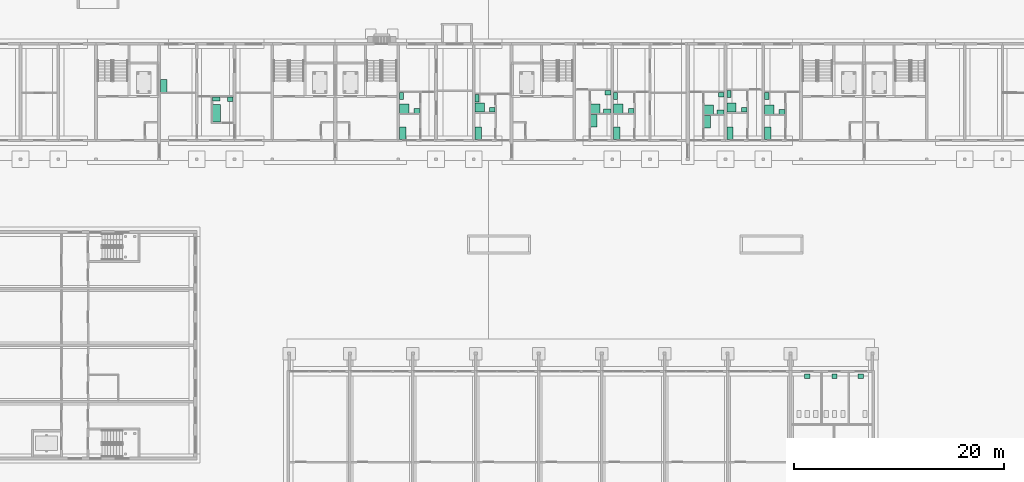
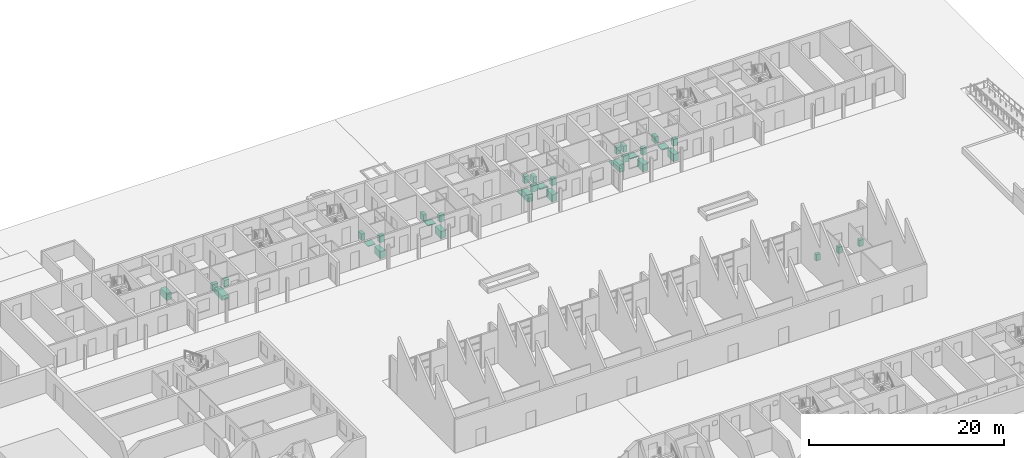
# One storey, part 109 of 112: 35 sanitary terminals.
"""IFC4 building model written with IfcOpenShell, lengths in metres."""

from ifc_helpers import new_model, si_unit, direction, frame, origin, origin_2d, place, context, subcontext, project, spatial, rectangle, extrude, element, save


model = new_model("IFC4")

# Units and contexts
model_context = context("Model", 3, precision=1e-05, world=origin(), true_north=direction((0.0, 1.0)))
body_context = subcontext(model_context, "Body", "Model", "MODEL_VIEW")
ifc_project = project(units=[si_unit("LENGTHUNIT", "METRE"), si_unit("AREAUNIT", "SQUARE_METRE"), si_unit("VOLUMEUNIT", "CUBIC_METRE"), si_unit("PLANEANGLEUNIT", "RADIAN"), si_unit("MASSUNIT", "GRAM", prefix="KILO")], contexts=[model_context])

# Site, building, storey
site_placement = place(None, origin())
site = spatial("IfcSite", under=ifc_project, at=site_placement, CompositionType="ELEMENT")
building_placement = place(site_placement, origin())
building = spatial("IfcBuilding", under=site, at=building_placement, Name="Ridgestep Commons", CompositionType="ELEMENT")
storey_placement = place(building_placement, origin())
storey = spatial("IfcBuildingStorey", under=building, at=storey_placement, Name="L00", CompositionType="ELEMENT", Elevation=0.0)

# Sanitary terminals
sanitary_terminal_1_placement = place(storey_placement, frame((169.0849609375, 70.510009765625, 0.0), z_axis=(0.0, 0.0, 1.0), x_axis=(1.0, 0.0, 0.0)))
element("IfcSanitaryTerminal", 1, at=sanitary_terminal_1_placement, inside=storey, Name="Bath C2-00a", PredefinedType="BATH", context=body_context, shape_type="SweptSolid", body=[
    extrude(rectangle(XDim=0.75, YDim=1.699951171875, at=origin_2d()), origin(), (0.0, 0.0, 1.0), 0.550048828125),
])
sanitary_terminal_2_placement = place(storey_placement, frame((169.06005859375, 71.860107421875, 0.0), z_axis=(0.0, 0.0, 1.0), x_axis=(1.0, 0.0, 0.0)))
element("IfcSanitaryTerminal", 2, at=sanitary_terminal_2_placement, inside=storey, Name="WC C2-00a", PredefinedType="TOILETPAN", context=body_context, shape_type="SweptSolid", body=[
    extrude(rectangle(XDim=0.699951171875, YDim=0.39990234375, at=origin_2d()), origin(), (0.0, 0.0, 1.0), 0.800048828125),
])
sanitary_terminal_3_placement = place(storey_placement, frame((170.39990234375, 71.8349609375, 0.0), z_axis=(0.0, 0.0, 1.0), x_axis=(1.0, 0.0, 0.0)))
element("IfcSanitaryTerminal", 3, at=sanitary_terminal_3_placement, inside=storey, Name="Basin C2-00a", PredefinedType="WASHHANDBASIN", context=body_context, shape_type="SweptSolid", body=[
    extrude(rectangle(XDim=0.550048828125, YDim=0.449951171875, at=origin_2d()), origin(), (0.0, 0.0, 1.0), 0.85009765625),
])
sanitary_terminal_4_placement = place(storey_placement, frame((164.050048828125, 73.110107421875, 0.0), z_axis=(0.0, 0.0, 1.0), x_axis=(1.0, 0.0, 0.0)))
element("IfcSanitaryTerminal", 4, at=sanitary_terminal_4_placement, inside=storey, Name="Kitchen sink C2-00a", PredefinedType="SINK", context=body_context, shape_type="SweptSolid", body=[
    extrude(rectangle(XDim=0.60009765625, YDim=1.199951171875, at=origin_2d()), origin(), (0.0, 0.0, 1.0), 0.89990234375),
])
sanitary_terminal_5_placement = place(storey_placement, frame((194.175048828125, 71.06005859375, 0.0), z_axis=(0.0, 0.0, 1.0), x_axis=(1.0, 0.0, 0.0)))
element("IfcSanitaryTerminal", 5, at=sanitary_terminal_5_placement, inside=storey, Name="Shower tray C3-00a", PredefinedType="SHOWER", context=body_context, shape_type="SweptSolid", body=[
    extrude(rectangle(XDim=0.89990234375, YDim=0.89990234375, at=origin_2d()), origin(), (0.0, 0.0, 1.0), 0.10009765625),
])
sanitary_terminal_6_placement = place(storey_placement, frame((193.925048828125, 71.949951171875, 0.0), z_axis=(0.0, 0.0, 1.0), x_axis=(1.0, 0.0, 0.0)))
element("IfcSanitaryTerminal", 6, at=sanitary_terminal_6_placement, inside=storey, Name="WC C3-00a", PredefinedType="TOILETPAN", context=body_context, shape_type="SweptSolid", body=[
    extrude(rectangle(XDim=0.39990234375, YDim=0.699951171875, at=origin_2d()), origin(), (0.0, 0.0, 1.0), 0.800048828125),
])
sanitary_terminal_7_placement = place(storey_placement, frame((195.364990234375, 70.8349609375, 0.0), z_axis=(0.0, 0.0, 1.0), x_axis=(1.0, 0.0, 0.0)))
element("IfcSanitaryTerminal", 7, at=sanitary_terminal_7_placement, inside=storey, Name="Basin C3-00a", PredefinedType="WASHHANDBASIN", context=body_context, shape_type="SweptSolid", body=[
    extrude(rectangle(XDim=0.550048828125, YDim=0.449951171875, at=origin_2d()), origin(), (0.0, 0.0, 1.0), 0.85009765625),
])
sanitary_terminal_8_placement = place(storey_placement, frame((194.02490234375, 68.60009765625, 0.0), z_axis=(0.0, 0.0, 1.0), x_axis=(1.0, 0.0, 0.0)))
element("IfcSanitaryTerminal", 8, at=sanitary_terminal_8_placement, inside=storey, Name="Kitchen sink C3-00a", PredefinedType="SINK", context=body_context, shape_type="SweptSolid", body=[
    extrude(rectangle(XDim=0.60009765625, YDim=1.199951171875, at=origin_2d()), origin(), (0.0, 0.0, 1.0), 0.89990234375),
])
sanitary_terminal_9_placement = place(storey_placement, frame((186.97509765625, 70.9599609375, 0.0), z_axis=(0.0, 0.0, 1.0), x_axis=(1.0, 0.0, 0.0)))
element("IfcSanitaryTerminal", 9, at=sanitary_terminal_9_placement, inside=storey, Name="Shower tray C3-00b", PredefinedType="SHOWER", context=body_context, shape_type="SweptSolid", body=[
    extrude(rectangle(XDim=0.89990234375, YDim=0.89990234375, at=origin_2d()), origin(), (0.0, 0.0, 1.0), 0.10009765625),
])
sanitary_terminal_10_placement = place(storey_placement, frame((186.72509765625, 72.14990234375, 0.0), z_axis=(0.0, 0.0, 1.0), x_axis=(1.0, 0.0, 0.0)))
element("IfcSanitaryTerminal", 10, at=sanitary_terminal_10_placement, inside=storey, Name="WC C3-00b", PredefinedType="TOILETPAN", context=body_context, shape_type="SweptSolid", body=[
    extrude(rectangle(XDim=0.39990234375, YDim=0.699951171875, at=origin_2d()), origin(), (0.0, 0.0, 1.0), 0.800048828125),
])
sanitary_terminal_11_placement = place(storey_placement, frame((188.18994140625, 70.735107421875, 0.0), z_axis=(0.0, 0.0, 1.0), x_axis=(1.0, 0.0, 0.0)))
element("IfcSanitaryTerminal", 11, at=sanitary_terminal_11_placement, inside=storey, Name="Basin C3-00b", PredefinedType="WASHHANDBASIN", context=body_context, shape_type="SweptSolid", body=[
    extrude(rectangle(XDim=0.550048828125, YDim=0.449951171875, at=origin_2d()), origin(), (0.0, 0.0, 1.0), 0.85009765625),
])
sanitary_terminal_12_placement = place(storey_placement, frame((186.824951171875, 68.60009765625, 0.0), z_axis=(0.0, 0.0, 1.0), x_axis=(1.0, 0.0, 0.0)))
element("IfcSanitaryTerminal", 12, at=sanitary_terminal_12_placement, inside=storey, Name="Kitchen sink C3-00b", PredefinedType="SINK", context=body_context, shape_type="SweptSolid", body=[
    extrude(rectangle(XDim=0.60009765625, YDim=1.199951171875, at=origin_2d()), origin(), (0.0, 0.0, 1.0), 0.89990234375),
])
sanitary_terminal_13_placement = place(storey_placement, frame((207.375, 70.9599609375, 0.0), z_axis=(0.0, 0.0, 1.0), x_axis=(1.0, 0.0, 0.0)))
element("IfcSanitaryTerminal", 13, at=sanitary_terminal_13_placement, inside=storey, Name="Shower tray C4-00a", PredefinedType="SHOWER", context=body_context, shape_type="SweptSolid", body=[
    extrude(rectangle(XDim=0.89990234375, YDim=0.89990234375, at=origin_2d()), origin(), (0.0, 0.0, 1.0), 0.10009765625),
])
sanitary_terminal_14_placement = place(storey_placement, frame((207.125, 72.14990234375, 0.0), z_axis=(0.0, 0.0, 1.0), x_axis=(1.0, 0.0, 0.0)))
element("IfcSanitaryTerminal", 14, at=sanitary_terminal_14_placement, inside=storey, Name="WC C4-00a", PredefinedType="TOILETPAN", context=body_context, shape_type="SweptSolid", body=[
    extrude(rectangle(XDim=0.39990234375, YDim=0.699951171875, at=origin_2d()), origin(), (0.0, 0.0, 1.0), 0.800048828125),
])
sanitary_terminal_15_placement = place(storey_placement, frame((208.614990234375, 70.735107421875, 0.0), z_axis=(0.0, 0.0, 1.0), x_axis=(1.0, 0.0, 0.0)))
element("IfcSanitaryTerminal", 15, at=sanitary_terminal_15_placement, inside=storey, Name="Basin C4-00a", PredefinedType="WASHHANDBASIN", context=body_context, shape_type="SweptSolid", body=[
    extrude(rectangle(XDim=0.550048828125, YDim=0.449951171875, at=origin_2d()), origin(), (0.0, 0.0, 1.0), 0.85009765625),
])
sanitary_terminal_16_placement = place(storey_placement, frame((207.22509765625, 68.60009765625, 0.0), z_axis=(0.0, 0.0, 1.0), x_axis=(1.0, 0.0, 0.0)))
element("IfcSanitaryTerminal", 16, at=sanitary_terminal_16_placement, inside=storey, Name="Kitchen sink C4-00a", PredefinedType="SINK", context=body_context, shape_type="SweptSolid", body=[
    extrude(rectangle(XDim=0.60009765625, YDim=1.199951171875, at=origin_2d()), origin(), (0.0, 0.0, 1.0), 0.89990234375),
])
sanitary_terminal_17_placement = place(storey_placement, frame((205.18505859375, 70.9599609375, 0.0), z_axis=(0.0, 0.0, 1.0), x_axis=(1.0, 0.0, 0.0)))
element("IfcSanitaryTerminal", 17, at=sanitary_terminal_17_placement, inside=storey, Name="Shower tray C4-00b", PredefinedType="SHOWER", context=body_context, shape_type="SweptSolid", body=[
    extrude(rectangle(XDim=0.89990234375, YDim=0.89990234375, at=origin_2d()), origin(), (0.0, 0.0, 1.0), 0.10009765625),
])
sanitary_terminal_18_placement = place(storey_placement, frame((206.324951171875, 70.7099609375, 0.0), z_axis=(0.0, 0.0, 1.0), x_axis=(1.0, 0.0, 0.0)))
element("IfcSanitaryTerminal", 18, at=sanitary_terminal_18_placement, inside=storey, Name="WC C4-00b", PredefinedType="TOILETPAN", context=body_context, shape_type="SweptSolid", body=[
    extrude(rectangle(XDim=0.699951171875, YDim=0.39990234375, at=origin_2d()), origin(), (0.0, 0.0, 1.0), 0.800048828125),
])
sanitary_terminal_19_placement = place(storey_placement, frame((206.39990234375, 72.47509765625, 0.0), z_axis=(0.0, 0.0, 1.0), x_axis=(1.0, 0.0, 0.0)))
element("IfcSanitaryTerminal", 19, at=sanitary_terminal_19_placement, inside=storey, Name="Basin C4-00b", PredefinedType="WASHHANDBASIN", context=body_context, shape_type="SweptSolid", body=[
    extrude(rectangle(XDim=0.550048828125, YDim=0.449951171875, at=origin_2d()), origin(), (0.0, 0.0, 1.0), 0.85009765625),
])
sanitary_terminal_20_placement = place(storey_placement, frame((205.034912109375, 69.800048828125, 0.0), z_axis=(0.0, 0.0, 1.0), x_axis=(1.0, 0.0, 0.0)))
element("IfcSanitaryTerminal", 20, at=sanitary_terminal_20_placement, inside=storey, Name="Kitchen sink C4-00b", PredefinedType="SINK", context=body_context, shape_type="SweptSolid", body=[
    extrude(rectangle(XDim=0.60009765625, YDim=1.199951171875, at=origin_2d()), origin(), (0.0, 0.0, 1.0), 0.89990234375),
])
sanitary_terminal_21_placement = place(storey_placement, frame((216.010009765625, 70.860107421875, 0.0), z_axis=(0.0, 0.0, 1.0), x_axis=(1.0, 0.0, 0.0)))
element("IfcSanitaryTerminal", 21, at=sanitary_terminal_21_placement, inside=storey, Name="Shower tray C5-00a", PredefinedType="SHOWER", context=body_context, shape_type="SweptSolid", body=[
    extrude(rectangle(XDim=0.89990234375, YDim=0.89990234375, at=origin_2d()), origin(), (0.0, 0.0, 1.0), 0.10009765625),
])
sanitary_terminal_22_placement = place(storey_placement, frame((217.125, 70.610107421875, 0.0), z_axis=(0.0, 0.0, 1.0), x_axis=(1.0, 0.0, 0.0)))
element("IfcSanitaryTerminal", 22, at=sanitary_terminal_22_placement, inside=storey, Name="WC C5-00a", PredefinedType="TOILETPAN", context=body_context, shape_type="SweptSolid", body=[
    extrude(rectangle(XDim=0.699951171875, YDim=0.39990234375, at=origin_2d()), origin(), (0.0, 0.0, 1.0), 0.800048828125),
])
sanitary_terminal_23_placement = place(storey_placement, frame((217.199951171875, 72.27490234375, 0.0), z_axis=(0.0, 0.0, 1.0), x_axis=(1.0, 0.0, 0.0)))
element("IfcSanitaryTerminal", 23, at=sanitary_terminal_23_placement, inside=storey, Name="Basin C5-00a", PredefinedType="WASHHANDBASIN", context=body_context, shape_type="SweptSolid", body=[
    extrude(rectangle(XDim=0.550048828125, YDim=0.449951171875, at=origin_2d()), origin(), (0.0, 0.0, 1.0), 0.85009765625),
])
sanitary_terminal_24_placement = place(storey_placement, frame((215.860107421875, 69.699951171875, 0.0), z_axis=(0.0, 0.0, 1.0), x_axis=(1.0, 0.0, 0.0)))
element("IfcSanitaryTerminal", 24, at=sanitary_terminal_24_placement, inside=storey, Name="Kitchen sink C5-00a", PredefinedType="SINK", context=body_context, shape_type="SweptSolid", body=[
    extrude(rectangle(XDim=0.60009765625, YDim=1.199951171875, at=origin_2d()), origin(), (0.0, 0.0, 1.0), 0.89990234375),
])
sanitary_terminal_25_placement = place(storey_placement, frame((218.175048828125, 71.06005859375, 0.0), z_axis=(0.0, 0.0, 1.0), x_axis=(1.0, 0.0, 0.0)))
element("IfcSanitaryTerminal", 25, at=sanitary_terminal_25_placement, inside=storey, Name="Shower tray C5-00b", PredefinedType="SHOWER", context=body_context, shape_type="SweptSolid", body=[
    extrude(rectangle(XDim=0.89990234375, YDim=0.89990234375, at=origin_2d()), origin(), (0.0, 0.0, 1.0), 0.10009765625),
])
sanitary_terminal_26_placement = place(storey_placement, frame((217.925048828125, 72.35009765625, 0.0), z_axis=(0.0, 0.0, 1.0), x_axis=(1.0, 0.0, 0.0)))
element("IfcSanitaryTerminal", 26, at=sanitary_terminal_26_placement, inside=storey, Name="WC C5-00b", PredefinedType="TOILETPAN", context=body_context, shape_type="SweptSolid", body=[
    extrude(rectangle(XDim=0.39990234375, YDim=0.699951171875, at=origin_2d()), origin(), (0.0, 0.0, 1.0), 0.800048828125),
])
sanitary_terminal_27_placement = place(storey_placement, frame((219.389892578125, 70.8349609375, 0.0), z_axis=(0.0, 0.0, 1.0), x_axis=(1.0, 0.0, 0.0)))
element("IfcSanitaryTerminal", 27, at=sanitary_terminal_27_placement, inside=storey, Name="Basin C5-00b", PredefinedType="WASHHANDBASIN", context=body_context, shape_type="SweptSolid", body=[
    extrude(rectangle(XDim=0.550048828125, YDim=0.449951171875, at=origin_2d()), origin(), (0.0, 0.0, 1.0), 0.85009765625),
])
sanitary_terminal_28_placement = place(storey_placement, frame((218.02490234375, 68.60009765625, 0.0), z_axis=(0.0, 0.0, 1.0), x_axis=(1.0, 0.0, 0.0)))
element("IfcSanitaryTerminal", 28, at=sanitary_terminal_28_placement, inside=storey, Name="Kitchen sink C5-00b", PredefinedType="SINK", context=body_context, shape_type="SweptSolid", body=[
    extrude(rectangle(XDim=0.60009765625, YDim=1.199951171875, at=origin_2d()), origin(), (0.0, 0.0, 1.0), 0.89990234375),
])
sanitary_terminal_29_placement = place(storey_placement, frame((221.77490234375, 70.860107421875, 0.0), z_axis=(0.0, 0.0, 1.0), x_axis=(1.0, 0.0, 0.0)))
element("IfcSanitaryTerminal", 29, at=sanitary_terminal_29_placement, inside=storey, Name="Shower tray C5-00c", PredefinedType="SHOWER", context=body_context, shape_type="SweptSolid", body=[
    extrude(rectangle(XDim=0.89990234375, YDim=0.89990234375, at=origin_2d()), origin(), (0.0, 0.0, 1.0), 0.10009765625),
])
sanitary_terminal_30_placement = place(storey_placement, frame((221.52490234375, 72.14990234375, 0.0), z_axis=(0.0, 0.0, 1.0), x_axis=(1.0, 0.0, 0.0)))
element("IfcSanitaryTerminal", 30, at=sanitary_terminal_30_placement, inside=storey, Name="WC C5-00c", PredefinedType="TOILETPAN", context=body_context, shape_type="SweptSolid", body=[
    extrude(rectangle(XDim=0.39990234375, YDim=0.699951171875, at=origin_2d()), origin(), (0.0, 0.0, 1.0), 0.800048828125),
])
sanitary_terminal_31_placement = place(storey_placement, frame((222.989990234375, 70.635009765625, 0.0), z_axis=(0.0, 0.0, 1.0), x_axis=(1.0, 0.0, 0.0)))
element("IfcSanitaryTerminal", 31, at=sanitary_terminal_31_placement, inside=storey, Name="Basin C5-00c", PredefinedType="WASHHANDBASIN", context=body_context, shape_type="SweptSolid", body=[
    extrude(rectangle(XDim=0.550048828125, YDim=0.449951171875, at=origin_2d()), origin(), (0.0, 0.0, 1.0), 0.85009765625),
])
sanitary_terminal_32_placement = place(storey_placement, frame((221.625, 68.60009765625, 0.0), z_axis=(0.0, 0.0, 1.0), x_axis=(1.0, 0.0, 0.0)))
element("IfcSanitaryTerminal", 32, at=sanitary_terminal_32_placement, inside=storey, Name="Kitchen sink C5-00c", PredefinedType="SINK", context=body_context, shape_type="SweptSolid", body=[
    extrude(rectangle(XDim=0.60009765625, YDim=1.199951171875, at=origin_2d()), origin(), (0.0, 0.0, 1.0), 0.89990234375),
])
for number, where, z_axis, x_axis, name in (
    (33, (225.39990234375, 45.449951171875, 0.0), (0.0, 0.0, 1.0), (1.0, 0.0, 0.0), "Basin"),
    (34, (228.0, 45.449951171875, 0.0), (0.0, 0.0, 1.0), (1.0, 0.0, 0.0), "Basin"),
    (35, (230.5, 45.449951171875, 0.0), (0.0, 0.0, 1.0), (1.0, 0.0, 0.0), "Basin"),
):
    element("IfcSanitaryTerminal", number, at=place(storey_placement, frame(where, z_axis=z_axis, x_axis=x_axis)), inside=storey, Name=name, PredefinedType="WASHHANDBASIN", context=body_context, shape_type="SweptSolid", body=[
        extrude(rectangle(XDim=0.5, YDim=0.39990234375, at=origin_2d()), origin(), (0.0, 0.0, 1.0), 0.800048828125),
    ])

save(model, "model.ifc")
